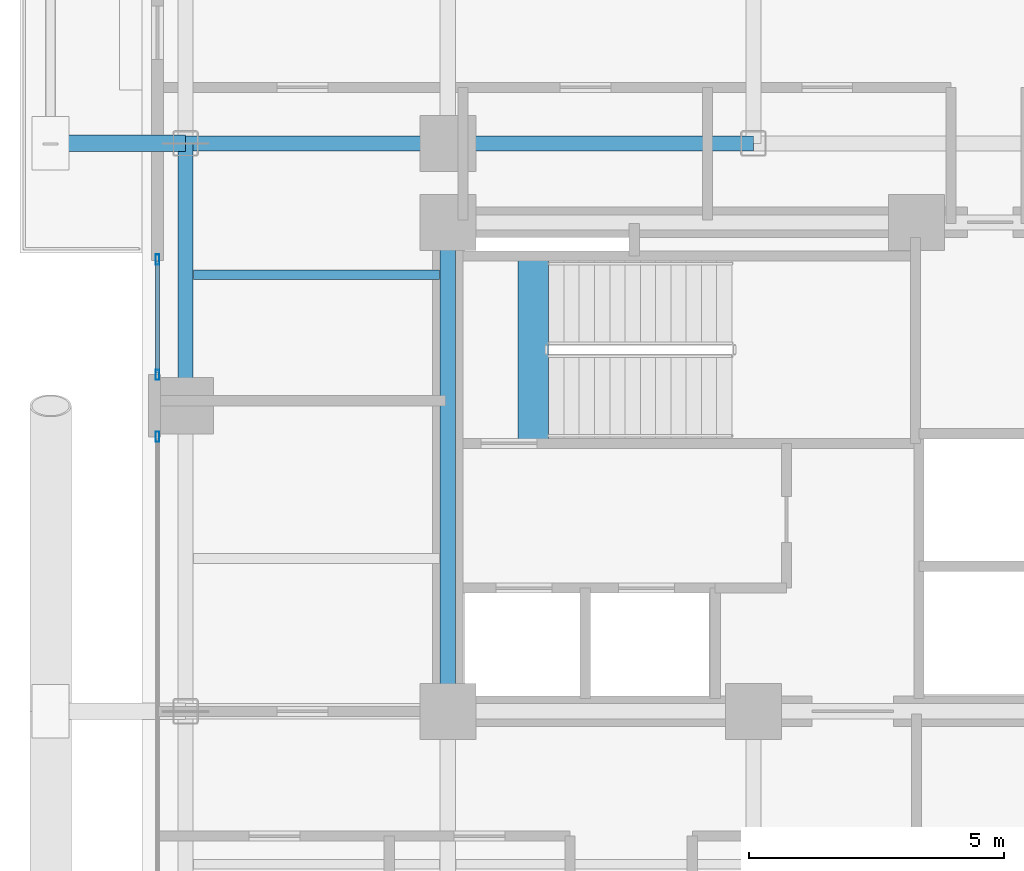
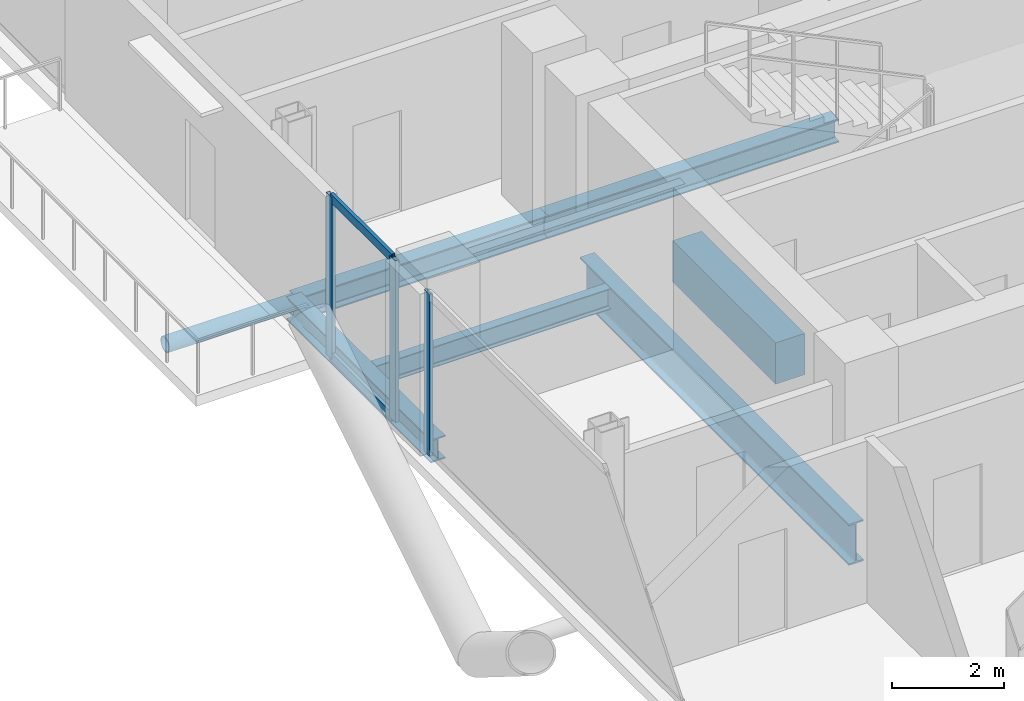
# One storey, part 7 of 28: 6 beams, 6 members, 2 elements without a shape of their own.
"""IFC4 building model written with IfcOpenShell, lengths in metres."""

from ifc_helpers import new_model, si_unit, direction, frame, origin, origin_2d, place, context, subcontext, project, spatial, rectangle, hollow_rectangle, hollow_circle, i_section, extrude, material, layer, layer_set, material_profile, profile_set, type_object, element, aggregate, save


model = new_model("IFC4")

# Units and contexts
model_context = context("Model", 3, precision=1e-05, world=origin(), true_north=direction((0.0, 1.0)))
body_context = subcontext(model_context, "Body", "Model", "MODEL_VIEW")
ifc_project = project(units=[si_unit("LENGTHUNIT", "METRE"), si_unit("AREAUNIT", "SQUARE_METRE"), si_unit("VOLUMEUNIT", "CUBIC_METRE"), si_unit("PLANEANGLEUNIT", "RADIAN"), si_unit("MASSUNIT", "GRAM", prefix="KILO"), si_unit("THERMODYNAMICTEMPERATUREUNIT", "KELVIN"), si_unit("POWERUNIT", "WATT")], contexts=[model_context])

# Site, building, storey
site_placement = place(None, origin())
site = spatial("IfcSite", under=ifc_project, at=site_placement, CompositionType="ELEMENT")
building_placement = place(site_placement, origin())
building = spatial("IfcBuilding", under=site, at=building_placement, Name="Svarakhadi Broadcast Tower", CompositionType="ELEMENT")
storey_placement = place(building_placement, frame((0.0, 0.0, 119.39990234375)))
storey = spatial("IfcBuildingStorey", under=building, at=storey_placement, Name="L28", CompositionType="ELEMENT", Elevation=119.39990234375)

# Beam
ifc_material_1 = material(Name="Steel S355J2 (IS 2062 E350C)", Category="steel")
ifc_material_profile_1 = material_profile(ifc_material_1, i_section(OverallWidth=0.18994140625, OverallDepth=0.449951171875, WebThickness=0.009521484375, FlangeThickness=0.0146484375, FilletRadius=0.02099609375, at=origin_2d()), Name="NPB 450x190x78")
ifc_profile_set_1 = profile_set([ifc_material_profile_1], Name="Steel S355J2 (IS 2062 E350C)")
beam_type_1 = type_object("IfcBeamType", Name="Beam_NPB450", PredefinedType="BEAM", material=ifc_profile_set_1)
beam_1_placement = place(storey_placement, frame((1.010009765625, 26.574951171875, -0.449951171875), z_axis=(1.0, 0.0, 0.0), x_axis=(0.0, 1.0, 0.0)))
element("IfcBeam", 1, at=beam_1_placement, inside=storey, type_object=beam_type_1, Name="L28 Secondary Composite Beam SB004", PredefinedType="BEAM", context=body_context, shape_type="SweptSolid", body=[
    extrude(i_section(OverallWidth=0.18994140625, OverallDepth=0.449951171875, WebThickness=0.009521484375, FlangeThickness=0.0146484375, FilletRadius=0.02099609375, at=origin_2d()), origin(), (0.0, 0.0, 1.0), 4.830078125),
])

# Curtain wall, member
ifc_material_2 = material(Name="Anodised Bronze Aluminium AA 6063-T6", Category="aluminium")
ifc_layer = layer(ifc_material_2, 0.199951171875)
ifc_layer_set = layer_set([ifc_layer], Name="Anodised Bronze Aluminium AA 6063-T6")
curtain_wall_type = type_object("IfcCurtainWallType", Name="CW_Sys_03", PredefinedType="NOTDEFINED", material=ifc_layer_set)
curtain_wall_1_placement = place(storey_placement, origin())
curtain_wall_1 = element("IfcCurtainWall", 2, at=curtain_wall_1_placement, inside=storey, type_object=curtain_wall_type, Name="L28 West Curtain Wall 02 Bay 2", PredefinedType="NOTDEFINED")
ifc_material_profile_2 = material_profile(ifc_material_2, hollow_rectangle(XDim=0.074951171875, YDim=0.199951171875, WallThickness=0.005615234375, at=origin_2d()), Name="ALU MULLION 200x75x6")
ifc_profile_set_2 = profile_set([ifc_material_profile_2], Name="Anodised Bronze Aluminium AA 6063-T6")
member_type_1 = type_object("IfcMemberType", Name="CW_Sys_03_Mul", PredefinedType="MULLION", material=ifc_profile_set_2)
member_1_placement = place(storey_placement, frame((0.300048828125, 23.392578125, 0.0), z_axis=(0.0, 0.0, 1.0), x_axis=(-1.0, 0.0, 0.0)))
member_1 = element("IfcMember", 3, at=member_1_placement, type_object=member_type_1, Name="CW-03 mullion 2", PredefinedType="MULLION", context=body_context, shape_type="SweptSolid", body=[
    extrude(hollow_rectangle(XDim=0.074951171875, YDim=0.199951171875, WallThickness=0.005615234375, at=origin_2d()), origin(), (0.0, 0.0, 1.0), 3.525146484375),
])
aggregate(curtain_wall_1, [member_1])

# Curtain wall, members
curtain_wall_2_placement = place(storey_placement, origin())
curtain_wall_2 = element("IfcCurtainWall", 4, at=curtain_wall_2_placement, inside=storey, type_object=curtain_wall_type, Name="L28 West Curtain Wall 02 Bay 3", PredefinedType="NOTDEFINED")
member_2_placement = place(storey_placement, frame((0.300048828125, 24.607421875, 0.0), z_axis=(0.0, 0.0, 1.0), x_axis=(-1.0, 0.0, 0.0)))
member_2 = element("IfcMember", 5, at=member_2_placement, type_object=member_type_1, Name="CW-03 mullion 1", PredefinedType="MULLION", context=body_context, shape_type="SweptSolid", body=[
    extrude(hollow_rectangle(XDim=0.074951171875, YDim=0.199951171875, WallThickness=0.005615234375, at=origin_2d()), origin(), (0.0, 0.0, 1.0), 3.525146484375),
])
member_3_placement = place(storey_placement, frame((0.300048828125, 26.87255859375, 0.0), z_axis=(0.0, 0.0, 1.0), x_axis=(-1.0, 0.0, 0.0)))
member_3 = element("IfcMember", 6, at=member_3_placement, type_object=member_type_1, Name="CW-03 mullion 2", PredefinedType="MULLION", context=body_context, shape_type="SweptSolid", body=[
    extrude(hollow_rectangle(XDim=0.074951171875, YDim=0.199951171875, WallThickness=0.005615234375, at=origin_2d()), origin(), (0.0, 0.0, 1.0), 3.525146484375),
])
ifc_material_profile_3 = material_profile(ifc_material_2, hollow_rectangle(XDim=0.070068359375, YDim=0.18505859375, WallThickness=0.0048828125, at=origin_2d()), Name="ALU TRANSOM 185x70x5")
ifc_profile_set_3 = profile_set([ifc_material_profile_3], Name="Anodised Bronze Aluminium AA 6063-T6")
member_type_2 = type_object("IfcMemberType", Name="CW_Sys_03_Trn", PredefinedType="USERDEFINED", material=ifc_profile_set_3)
member_4_placement = place(storey_placement, frame((0.300048828125, 24.64501953125, 0.03515625), z_axis=(0.0, 1.0, 0.0), x_axis=(-1.0, 0.0, 0.0)))
member_4 = element("IfcMember", 7, at=member_4_placement, type_object=member_type_2, Name="CW-03 transom 1.1", ObjectType="TRANSOM", PredefinedType="USERDEFINED", context=body_context, shape_type="SweptSolid", body=[
    extrude(hollow_rectangle(XDim=0.070068359375, YDim=0.18505859375, WallThickness=0.0048828125, at=origin_2d()), origin(), (0.0, 0.0, 1.0), 2.18994140625),
])
member_5_placement = place(storey_placement, frame((0.300048828125, 24.64501953125, 3.489990234375), z_axis=(0.0, 1.0, 0.0), x_axis=(-1.0, 0.0, 0.0)))
member_5 = element("IfcMember", 8, at=member_5_placement, type_object=member_type_2, Name="CW-03 transom 1.2", ObjectType="TRANSOM", PredefinedType="USERDEFINED", context=body_context, shape_type="SweptSolid", body=[
    extrude(hollow_rectangle(XDim=0.070068359375, YDim=0.18505859375, WallThickness=0.0048828125, at=origin_2d()), origin(), (0.0, 0.0, 1.0), 2.18994140625),
])
aggregate(curtain_wall_2, [member_2, member_3, member_4, member_5])

# Beam
ifc_material_3 = material(Name="Concrete C50/60 (IS 456 M60)", Category="concrete")
ifc_material_profile_4 = material_profile(ifc_material_3, rectangle(XDim=0.60009765625, YDim=0.89990234375, at=origin_2d()), Name="RC 600x900")
ifc_profile_set_4 = profile_set([ifc_material_profile_4], Name="Concrete C50/60 (IS 456 M60)")
beam_type_2 = type_object("IfcBeamType", Name="Coupling_RC600", PredefinedType="USERDEFINED", material=ifc_profile_set_4)
beam_2_placement = place(storey_placement, frame((7.679931640625, 23.260009765625, -0.449951171875), z_axis=(0.0, 1.0, 0.0), x_axis=(-1.0, 0.0, 0.0)))
element("IfcBeam", 9, at=beam_2_placement, inside=storey, type_object=beam_type_2, Name="L28 Stair ST-01 Landing Throat Trimmer Beam CB-01", ObjectType="GIRDER", PredefinedType="USERDEFINED", context=body_context, shape_type="SweptSolid", body=[
    extrude(rectangle(XDim=0.60009765625, YDim=0.89990234375, at=origin_2d()), origin(), (0.0, 0.0, 1.0), 3.679931640625),
])

# Member
ifc_material_4 = material(Name="Steel S460ML (IS 2062 E450BR)", Category="steel")
ifc_material_profile_5 = material_profile(ifc_material_4, hollow_circle(Radius=0.161865234375, WallThickness=0.01611328125, at=origin_2d()), Name="CHS 323.9x16")
ifc_profile_set_5 = profile_set([ifc_material_profile_5], Name="Steel S460ML (IS 2062 E450BR)")
member_type_3 = type_object("IfcMemberType", Name="Exo_Radial_Strut_Z2", PredefinedType="STRUT", material=ifc_profile_set_5)
member_6_placement = place(storey_placement, frame((-1.800048828125, 29.14990234375, -0.386962890625), z_axis=(1.0, 0.0, 0.0), x_axis=(0.0, 1.0, 0.0)))
element("IfcMember", 10, at=member_6_placement, inside=storey, type_object=member_type_3, Name="L28 Exoskeleton Radial Tie Strut W07", PredefinedType="STRUT", context=body_context, shape_type="SweptSolid", body=[
    extrude(hollow_circle(Radius=0.161865234375, WallThickness=0.01611328125, at=origin_2d()), origin(), (0.0, 0.0, 1.0), 2.650146484375),
])

# Beams
ifc_material_profile_6 = material_profile(ifc_material_1, i_section(OverallWidth=0.300048828125, OverallDepth=0.5, WebThickness=0.014404296875, FlangeThickness=0.028076171875, FilletRadius=0.027099609375, at=origin_2d()), Name="WPB 500x300x187")
ifc_profile_set_6 = profile_set([ifc_material_profile_6], Name="Steel S355J2 (IS 2062 E350C)")
beam_type_3 = type_object("IfcBeamType", Name="Girder_WPB500", PredefinedType="USERDEFINED", material=ifc_profile_set_6)
beam_3_placement = place(storey_placement, frame((0.85009765625, 29.14990234375, -0.474853515625), z_axis=(1.0, 0.0, 0.0), x_axis=(0.0, 1.0, 0.0)))
element("IfcBeam", 11, at=beam_3_placement, inside=storey, type_object=beam_type_3, Name="L28 Primary E-W Girder G032", ObjectType="GIRDER", PredefinedType="USERDEFINED", context=body_context, shape_type="SweptSolid", body=[
    extrude(i_section(OverallWidth=0.300048828125, OverallDepth=0.5, WebThickness=0.014404296875, FlangeThickness=0.028076171875, FilletRadius=0.027099609375, at=origin_2d()), origin(), (0.0, 0.0, 1.0), 5.14990234375),
])
beam_4_placement = place(storey_placement, frame((6.0, 29.14990234375, -0.474853515625), z_axis=(1.0, 0.0, 0.0), x_axis=(0.0, 1.0, 0.0)))
element("IfcBeam", 12, at=beam_4_placement, inside=storey, type_object=beam_type_3, Name="L28 Primary E-W Girder G033", ObjectType="GIRDER", PredefinedType="USERDEFINED", context=body_context, shape_type="SweptSolid", body=[
    extrude(i_section(OverallWidth=0.300048828125, OverallDepth=0.5, WebThickness=0.014404296875, FlangeThickness=0.028076171875, FilletRadius=0.027099609375, at=origin_2d()), origin(), (0.0, 0.0, 1.0), 6.0),
])
beam_5_placement = place(storey_placement, frame((0.85009765625, 24.0, -0.474853515625), z_axis=(0.0, 1.0, 0.0), x_axis=(-1.0, 0.0, 0.0)))
element("IfcBeam", 13, at=beam_5_placement, inside=storey, type_object=beam_type_3, Name="L28 Primary N-S Girder G043", ObjectType="GIRDER", PredefinedType="USERDEFINED", context=body_context, shape_type="SweptSolid", body=[
    extrude(i_section(OverallWidth=0.300048828125, OverallDepth=0.5, WebThickness=0.014404296875, FlangeThickness=0.028076171875, FilletRadius=0.027099609375, at=origin_2d()), origin(), (0.0, 0.0, 1.0), 5.14990234375),
])
ifc_material_profile_7 = material_profile(ifc_material_4, i_section(OverallWidth=0.300048828125, OverallDepth=0.89990234375, WebThickness=0.0185546875, FlangeThickness=0.034912109375, FilletRadius=0.030029296875, at=origin_2d()), Name="WPB 900x300x291")
ifc_profile_set_7 = profile_set([ifc_material_profile_7], Name="Steel S460ML (IS 2062 E450BR)")
beam_type_4 = type_object("IfcBeamType", Name="Girder_WPB900", PredefinedType="USERDEFINED", material=ifc_profile_set_7)
beam_6_placement = place(storey_placement, frame((6.0, 18.0, -0.6748046875), z_axis=(0.0, 1.0, 0.0), x_axis=(-1.0, 0.0, 0.0)))
element("IfcBeam", 14, at=beam_6_placement, inside=storey, type_object=beam_type_4, Name="L28 Primary N-S Girder G048", ObjectType="GIRDER", PredefinedType="USERDEFINED", context=body_context, shape_type="SweptSolid", body=[
    extrude(i_section(OverallWidth=0.300048828125, OverallDepth=0.89990234375, WebThickness=0.0185546875, FlangeThickness=0.034912109375, FilletRadius=0.030029296875, at=origin_2d()), origin(), (0.0, 0.0, 1.0), 9.60009765625),
])

save(model, "model.ifc")
